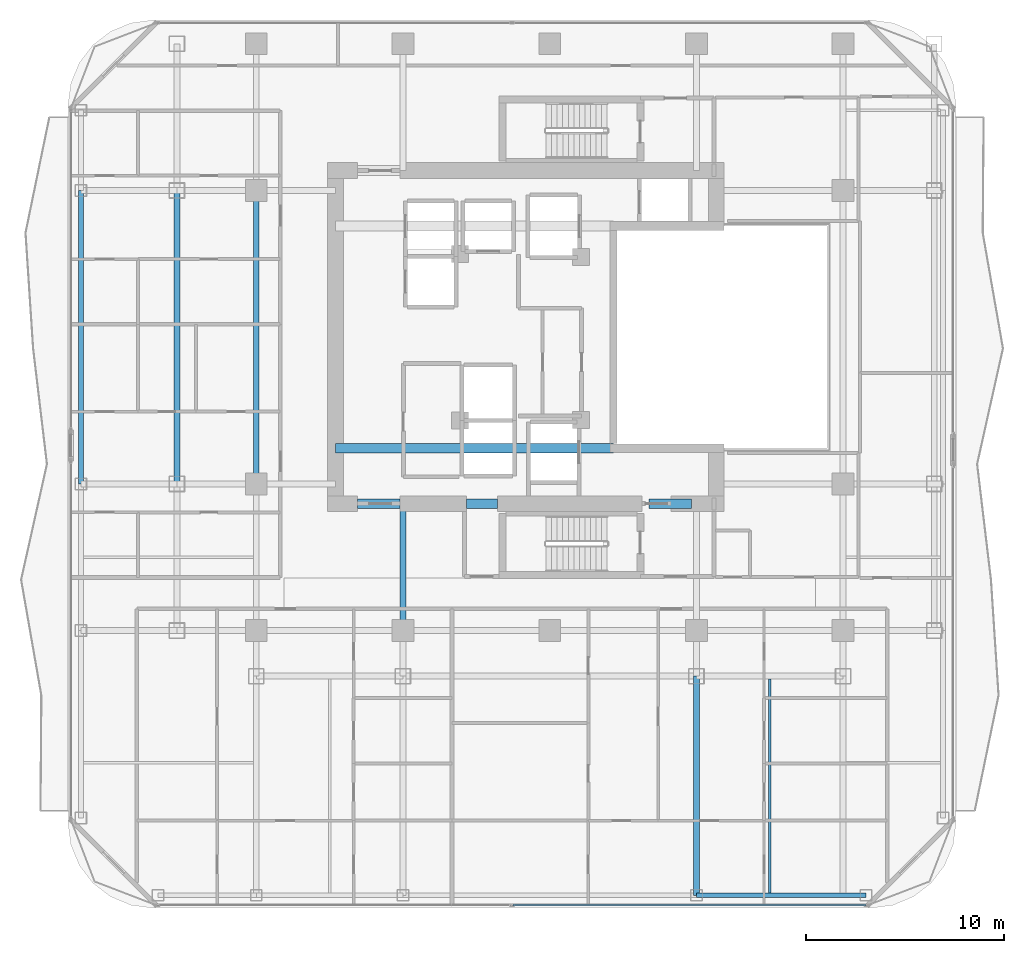
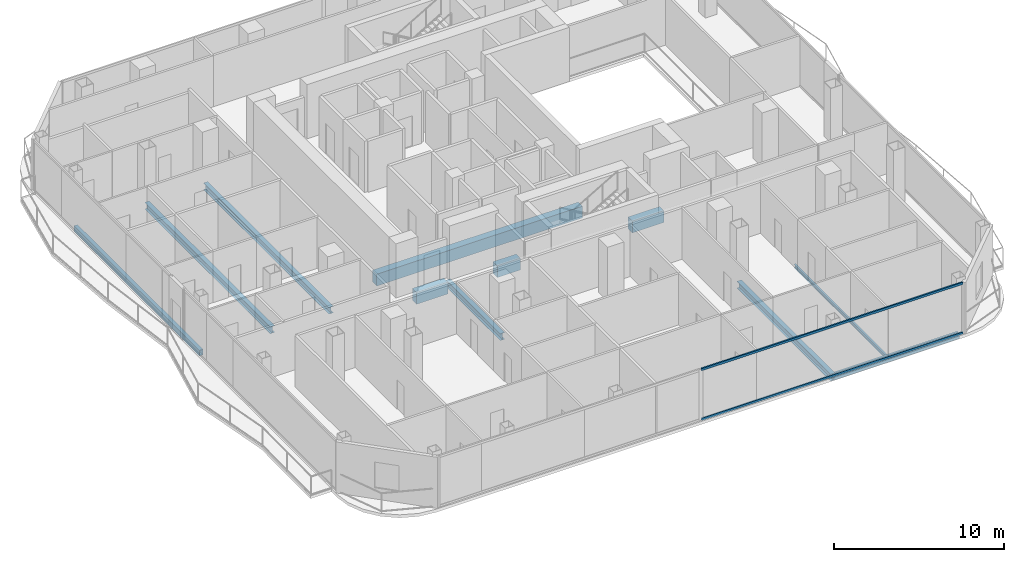
# One storey, part 6 of 23: 11 beams, 2 members, 1 element without a shape of its own.
"""IFC4 building model written with IfcOpenShell, lengths in metres."""

from ifc_helpers import new_model, si_unit, direction, frame, origin, origin_2d, place, context, subcontext, project, spatial, rectangle, hollow_rectangle, i_section, extrude, material, layer, layer_set, material_profile, profile_set, type_object, element, aggregate, save


model = new_model("IFC4")

# Units and contexts
model_context = context("Model", 3, precision=1e-05, world=origin(), true_north=direction((0.0, 1.0)))
body_context = subcontext(model_context, "Body", "Model", "MODEL_VIEW")
ifc_project = project(units=[si_unit("LENGTHUNIT", "METRE"), si_unit("AREAUNIT", "SQUARE_METRE"), si_unit("VOLUMEUNIT", "CUBIC_METRE"), si_unit("PLANEANGLEUNIT", "RADIAN"), si_unit("MASSUNIT", "GRAM", prefix="KILO")], contexts=[model_context])

# Site, building, storey
site_placement = place(None, origin())
site = spatial("IfcSite", under=ifc_project, at=site_placement, CompositionType="ELEMENT")
building_placement = place(site_placement, origin())
building = spatial("IfcBuilding", under=site, at=building_placement, Name="Khorvyn Point Tower", CompositionType="ELEMENT")
storey_placement = place(building_placement, frame((0.0, 0.0, 199.199951171875)))
storey = spatial("IfcBuildingStorey", under=building, at=storey_placement, Name="L49", CompositionType="ELEMENT", Elevation=199.199951171875)

# Curtain wall, members
ifc_material_1 = material(Name="Anodised aluminium 6063-T6 and laminated Low-E glass", Category="aluminium")
ifc_layer = layer(ifc_material_1, 0.18994140625)
ifc_layer_set = layer_set([ifc_layer], Name="Stick-Built Acoustic Curtain Wall CW-SYS-03")
curtain_wall_type = type_object("IfcCurtainWallType", Name="Stick-Built Acoustic Curtain Wall CW-SYS-03", PredefinedType="NOTDEFINED", material=ifc_layer_set)
curtain_wall_placement = place(storey_placement, origin())
curtain_wall = element("IfcCurtainWall", 1, at=curtain_wall_placement, inside=storey, type_object=curtain_wall_type, Name="Curtain Wall", PredefinedType="NOTDEFINED")
ifc_material_2 = material(Name="Anodised aluminium 6063-T6", Category="aluminium")
ifc_material_profile_1 = material_profile(ifc_material_2, hollow_rectangle(XDim=0.10009765625, YDim=0.159912109375, WallThickness=0.00439453125, at=origin_2d()))
ifc_profile_set_1 = profile_set([ifc_material_profile_1], Name="Anodised aluminium 6063-T6 ALU-TRN-100x160")
member_type = type_object("IfcMemberType", Name="Anodised Aluminium 6063-T6 Transom ALU-TRN-100x160", PredefinedType="USERDEFINED", material=ifc_profile_set_1)
member_1_placement = place(storey_placement, frame((15.949951171875, -28.64990234375, 0.050048828125), z_axis=(-1.0, 0.0, 0.0), x_axis=(0.0, -1.0, 0.0)))
member_1 = element("IfcMember", 2, at=member_1_placement, type_object=member_type, Name="Transom", ObjectType="TRANSOM", PredefinedType="USERDEFINED", context=body_context, shape_type="SweptSolid", body=[
    extrude(hollow_rectangle(XDim=0.10009765625, YDim=0.159912109375, WallThickness=0.00439453125, at=origin_2d()), origin(), (0.0, 0.0, 1.0), 17.800048828125),
])
member_2_placement = place(storey_placement, frame((15.949951171875, -28.64990234375, 3.630126953125), z_axis=(-1.0, 0.0, 0.0), x_axis=(0.0, -1.0, 0.0)))
member_2 = element("IfcMember", 3, at=member_2_placement, type_object=member_type, Name="Transom", ObjectType="TRANSOM", PredefinedType="USERDEFINED", context=body_context, shape_type="SweptSolid", body=[
    extrude(hollow_rectangle(XDim=0.10009765625, YDim=0.159912109375, WallThickness=0.00439453125, at=origin_2d()), origin(), (0.0, 0.0, 1.0), 17.800048828125),
])
aggregate(curtain_wall, [member_1, member_2])

# Beams
ifc_material_3 = material(Name="Concrete C45/55", Category="concrete")
ifc_material_profile_2 = material_profile(ifc_material_3, rectangle(XDim=0.5, YDim=0.85009765625, at=origin_2d()))
ifc_profile_set_2 = profile_set([ifc_material_profile_2], Name="Concrete C45/55 RC500x850")
beam_type_1 = type_object("IfcBeamType", Name="Concrete C45/55 Beam RC500x850", PredefinedType="BEAM", material=ifc_profile_set_2)
beam_1_placement = place(storey_placement, frame((-10.800048828125, -5.60009765625, -0.64501953125), z_axis=(1.0, 0.0, 0.0), x_axis=(0.0, 1.0, 0.0)))
element("IfcBeam", 4, at=beam_1_placement, inside=storey, type_object=beam_type_1, Name="L49 Core Internal Tie Girder S", PredefinedType="BEAM", context=body_context, shape_type="SweptSolid", body=[
    extrude(rectangle(XDim=0.5, YDim=0.85009765625, at=origin_2d()), origin(), (0.0, 0.0, 1.0), 14.02001953125),
])
beam_2_placement = place(storey_placement, frame((-9.699951171875, -8.39990234375, -0.64501953125), z_axis=(1.0, 0.0, 0.0), x_axis=(0.0, 1.0, 0.0)))
element("IfcBeam", 5, at=beam_2_placement, inside=storey, type_object=beam_type_1, Name="L49 Core Southwest Portal Coupling Beam", PredefinedType="BEAM", context=body_context, shape_type="SweptSolid", body=[
    extrude(rectangle(XDim=0.5, YDim=0.85009765625, at=origin_2d()), origin(), (0.0, 0.0, 1.0), 2.14990234375),
])
beam_3_placement = place(storey_placement, frame((-4.199951171875, -8.39990234375, -0.64501953125), z_axis=(1.0, 0.0, 0.0), x_axis=(0.0, 1.0, 0.0)))
element("IfcBeam", 6, at=beam_3_placement, inside=storey, type_object=beam_type_1, Name="L49 Core Shuttle Portal Coupling Beam", PredefinedType="BEAM", context=body_context, shape_type="SweptSolid", body=[
    extrude(rectangle(XDim=0.5, YDim=0.85009765625, at=origin_2d()), origin(), (0.0, 0.0, 1.0), 1.579833984375),
])
beam_4_placement = place(storey_placement, frame((5.0, -8.39990234375, -0.64501953125), z_axis=(1.0, 0.0, 0.0), x_axis=(0.0, 1.0, 0.0)))
element("IfcBeam", 7, at=beam_4_placement, inside=storey, type_object=beam_type_1, Name="L49 Core Southeast Portal Coupling Beam", PredefinedType="BEAM", context=body_context, shape_type="SweptSolid", body=[
    extrude(rectangle(XDim=0.5, YDim=0.85009765625, at=origin_2d()), origin(), (0.0, 0.0, 1.0), 2.14990234375),
])
ifc_material_4 = material(Name="Steel S355", Category="steel")
ifc_material_profile_3 = material_profile(ifc_material_4, i_section(OverallWidth=0.125, OverallDepth=0.25, WebThickness=0.006103515625, FlangeThickness=0.009033203125, at=origin_2d()))
ifc_profile_set_3 = profile_set([ifc_material_profile_3], Name="Steel S355 H250x125x6x9")
beam_type_2 = type_object("IfcBeamType", Name="Steel S355 Joist H250x125x6x9", PredefinedType="JOIST", material=ifc_profile_set_3)
beam_5_placement = place(storey_placement, frame((11.10009765625, -28.02490234375, -0.344970703125), z_axis=(0.0, 1.0, 0.0), x_axis=(-1.0, 0.0, 0.0)))
element("IfcBeam", 8, at=beam_5_placement, inside=storey, type_object=beam_type_2, Name="Beam", PredefinedType="JOIST", context=body_context, shape_type="SweptSolid", body=[
    extrude(i_section(OverallWidth=0.125, OverallDepth=0.25, WebThickness=0.006103515625, FlangeThickness=0.009033203125, at=origin_2d()), origin(), (0.0, 0.0, 1.0), 10.77490234375),
])
ifc_material_profile_4 = material_profile(ifc_material_4, i_section(OverallWidth=0.300048828125, OverallDepth=0.488037109375, WebThickness=0.010986328125, FlangeThickness=0.01806640625, at=origin_2d()))
ifc_profile_set_4 = profile_set([ifc_material_profile_4], Name="Steel S355 H488x300x11x18")
beam_type_3 = type_object("IfcBeamType", Name="Steel S355 Spandrel H488x300x11x18", PredefinedType="SPANDREL", material=ifc_profile_set_4)
beam_6_placement = place(storey_placement, frame((-14.800048828125, -7.39990234375, -0.4638671875), z_axis=(0.0, 1.0, 0.0), x_axis=(-1.0, 0.0, 0.0)))
element("IfcBeam", 9, at=beam_6_placement, inside=storey, type_object=beam_type_3, Name="Beam", PredefinedType="SPANDREL", context=body_context, shape_type="SweptSolid", body=[
    extrude(i_section(OverallWidth=0.300048828125, OverallDepth=0.488037109375, WebThickness=0.010986328125, FlangeThickness=0.01806640625, at=origin_2d()), origin(), (0.0, 0.0, 1.0), 14.7998046875),
])
beam_7_placement = place(storey_placement, frame((-7.39990234375, -14.800048828125, -0.4638671875), z_axis=(0.0, 1.0, 0.0), x_axis=(-1.0, 0.0, 0.0)))
element("IfcBeam", 10, at=beam_7_placement, inside=storey, type_object=beam_type_3, Name="Beam", PredefinedType="SPANDREL", context=body_context, shape_type="SweptSolid", body=[
    extrude(i_section(OverallWidth=0.300048828125, OverallDepth=0.488037109375, WebThickness=0.010986328125, FlangeThickness=0.01806640625, at=origin_2d()), origin(), (0.0, 0.0, 1.0), 6.400146484375),
])
beam_8_placement = place(storey_placement, frame((7.39990234375, -28.14990234375, -0.4638671875), z_axis=(0.0, 1.0, 0.0), x_axis=(-1.0, 0.0, 0.0)))
element("IfcBeam", 11, at=beam_8_placement, inside=storey, type_object=beam_type_3, Name="Beam", PredefinedType="SPANDREL", context=body_context, shape_type="SweptSolid", body=[
    extrude(i_section(OverallWidth=0.300048828125, OverallDepth=0.488037109375, WebThickness=0.010986328125, FlangeThickness=0.01806640625, at=origin_2d()), origin(), (0.0, 0.0, 1.0), 11.0498046875),
])
beam_9_placement = place(storey_placement, frame((-18.800048828125, -7.39990234375, -0.4638671875), z_axis=(0.0, 1.0, 0.0), x_axis=(-1.0, 0.0, 0.0)))
element("IfcBeam", 12, at=beam_9_placement, inside=storey, type_object=beam_type_3, Name="Beam", PredefinedType="SPANDREL", context=body_context, shape_type="SweptSolid", body=[
    extrude(i_section(OverallWidth=0.300048828125, OverallDepth=0.488037109375, WebThickness=0.010986328125, FlangeThickness=0.01806640625, at=origin_2d()), origin(), (0.0, 0.0, 1.0), 14.7998046875),
])
ifc_material_profile_5 = material_profile(ifc_material_4, hollow_rectangle(XDim=0.25, YDim=0.39990234375, WallThickness=0.01611328125, at=origin_2d()))
ifc_profile_set_5 = profile_set([ifc_material_profile_5], Name="Steel S355 RHS400x250x16")
beam_type_4 = type_object("IfcBeamType", Name="Steel S355 Spandrel RHS400x250x16", PredefinedType="SPANDREL", material=ifc_profile_set_5)
beam_10_placement = place(storey_placement, frame((7.39990234375, -28.14990234375, -0.419921875), z_axis=(1.0, 0.0, 0.0), x_axis=(0.0, 1.0, 0.0)))
element("IfcBeam", 13, at=beam_10_placement, inside=storey, type_object=beam_type_4, Name="Beam", PredefinedType="SPANDREL", context=body_context, shape_type="SweptSolid", body=[
    extrude(hollow_rectangle(XDim=0.25, YDim=0.39990234375, WallThickness=0.01611328125, at=origin_2d()), origin(), (0.0, 0.0, 1.0), 8.550048828125),
])
beam_11_placement = place(storey_placement, frame((-23.64990234375, -7.39990234375, -0.419921875), z_axis=(0.0, 1.0, 0.0), x_axis=(-1.0, 0.0, 0.0)))
element("IfcBeam", 14, at=beam_11_placement, inside=storey, type_object=beam_type_4, Name="Beam", PredefinedType="SPANDREL", context=body_context, shape_type="SweptSolid", body=[
    extrude(hollow_rectangle(XDim=0.25, YDim=0.39990234375, WallThickness=0.01611328125, at=origin_2d()), origin(), (0.0, 0.0, 1.0), 14.7998046875),
])

save(model, "model.ifc")
